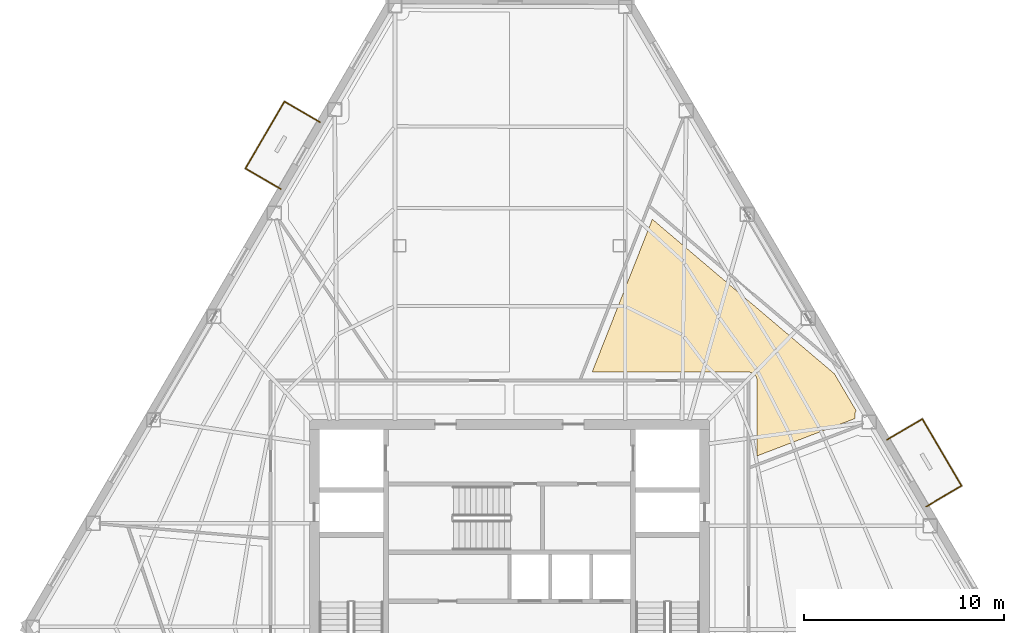
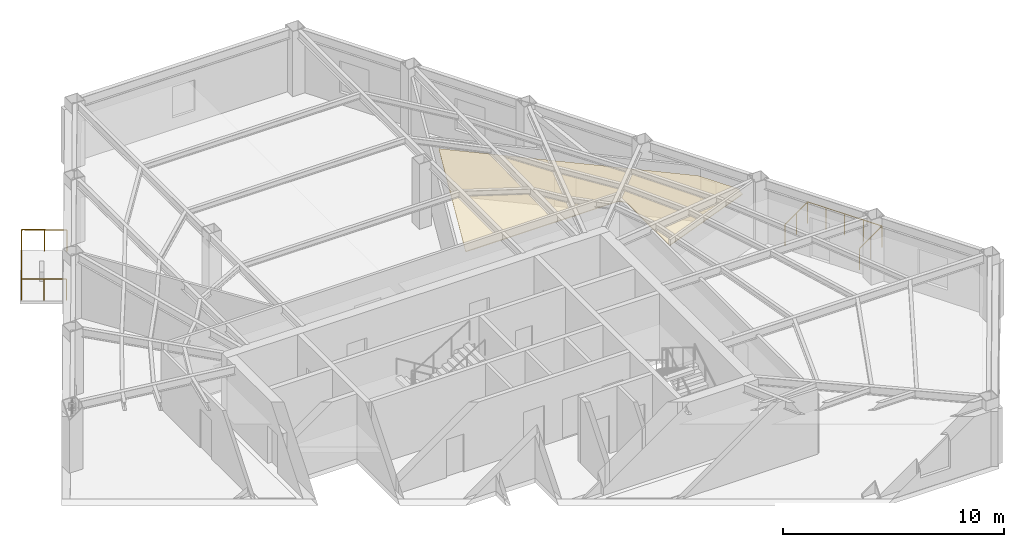
# One storey, part 11 of 11: 6 railings, 1 covering.
"""IFC4 building model written with IfcOpenShell, lengths in metres."""

from ifc_helpers import new_model, si_unit, direction, frame, origin, origin_2d, place, context, subcontext, project, spatial, polyline, circle, outline, extrude, material, layer, layer_set, type_object, element, save


model = new_model("IFC4")

# Units and contexts
model_context = context("Model", 3, precision=1e-05, world=origin(), true_north=direction((0.0, 1.0)))
body_context = subcontext(model_context, "Body", "Model", "MODEL_VIEW")
ifc_project = project(units=[si_unit("LENGTHUNIT", "METRE"), si_unit("AREAUNIT", "SQUARE_METRE"), si_unit("VOLUMEUNIT", "CUBIC_METRE"), si_unit("PLANEANGLEUNIT", "RADIAN"), si_unit("MASSUNIT", "GRAM", prefix="KILO")], contexts=[model_context])

# Site, building, storey
site_placement = place(None, origin())
site = spatial("IfcSite", under=ifc_project, at=site_placement, CompositionType="ELEMENT")
building_placement = place(site_placement, origin())
building = spatial("IfcBuilding", under=site, at=building_placement, Name="Kavelnor Concourse Tower", CompositionType="ELEMENT")
storey_placement = place(building_placement, frame((0.0, 0.0, 127.85009765625)))
storey = spatial("IfcBuildingStorey", under=building, at=storey_placement, Name="L32", CompositionType="ELEMENT", Elevation=127.85009765625)

# Covering
ifc_material_1 = material(Name="Mineral fibre acoustic ceiling tile")
ifc_layer = layer(ifc_material_1, 0.0400390625, Name="Mineral fibre acoustic ceiling tile")
ifc_layer_set = layer_set([ifc_layer], Name="Mineral fibre acoustic ceiling tile")
covering_type = type_object("IfcCoveringType", Name="COV-CEILING-ACOUSTIC", PredefinedType="CEILING", material=ifc_layer_set)
covering_placement = place(storey_placement, frame((0.0, 0.0, 2.75)))
element("IfcCovering", 1, at=covering_placement, inside=storey, type_object=covering_type, Name="L32 Suspended Acoustic Ceiling", PredefinedType="CEILING", context=body_context, shape_type="SweptSolid", body=[
    extrude(outline(polyline([(50.384765625, 25.132568359375), (50.374755859375, 25.1728515625), (50.360595703125, 25.2119140625), (50.343017578125, 25.24951171875), (50.321533203125, 25.284912109375), (50.296875, 25.318359375), (50.26904296875, 25.34912109375), (50.23828125, 25.376953125), (50.205078125, 25.401611328125), (50.16943359375, 25.423095703125), (50.1318359375, 25.440673828125), (50.0927734375, 25.45458984375), (50.052490234375, 25.46484375), (50.011474609375, 25.470947265625), (49.978271484375, 25.472412109375), (42.137451171875, 25.472412109375), (45.15283203125, 33.12890625), (54.26953125, 25.393798828125), (55.35888671875, 23.5400390625), (55.355712890625, 23.53564453125), (55.33740234375, 23.50537109375), (55.322509765625, 23.473388671875), (55.310546875, 23.440185546875), (55.302001953125, 23.40576171875), (55.296630859375, 23.370849609375), (55.29541015625, 23.34375), (55.29541015625, 23.14501953125), (50.392578125, 21.273681640625), (50.392578125, 25.058349609375), (50.390869140625, 25.091552734375), (50.384765625, 25.132568359375)])), origin(), (0.0, 0.0, 1.0), 0.039794921875),
])

# Railings
ifc_material_2 = material(Name="Architectural bronze-anodised aluminium", Category="aluminium")
railing_type = type_object("IfcRailingType", Name="RLG-TERRACE-1200", PredefinedType="BALUSTRADE", material=ifc_material_2)
railing_1_placement = place(storey_placement, frame((58.87353515625, 18.74267578125, 0.0)))
element("IfcRailing", 2, at=railing_1_placement, inside=storey, type_object=railing_type, Name="L32 Tree Balcony 1 Guardrail L", PredefinedType="BALUSTRADE", context=body_context, shape_type="SweptSolid", body=[
    extrude(circle(Radius=0.02392578125, at=origin_2d()), frame((0.0, 0.0, 1.17578125), z_axis=(0.862237152652, 0.506504780418, 0.0), x_axis=(-0.506504780418, 0.862237152652, 0.0)), (0.0, 0.0, 1.0), 2.050048828125),
    extrude(circle(Radius=0.02099609375, at=origin_2d()), origin(), (0.0, 0.0, 1.0), 1.15185546875),
    extrude(circle(Radius=0.02099609375, at=origin_2d()), frame((0.8837890625, 0.51904296875, 0.0)), (0.0, 0.0, 1.0), 1.15185546875),
    extrude(circle(Radius=0.02099609375, at=origin_2d()), frame((1.767578125, 1.038330078125, 0.0)), (0.0, 0.0, 1.0), 1.15185546875),
])
railing_2_placement = place(storey_placement, frame((60.64111328125, 19.781005859375, 0.0)))
element("IfcRailing", 3, at=railing_2_placement, inside=storey, type_object=railing_type, Name="L32 Tree Balcony 1 Guardrail F", PredefinedType="BALUSTRADE", context=body_context, shape_type="SweptSolid", body=[
    extrude(circle(Radius=0.02392578125, at=origin_2d()), frame((0.0, 0.0, 1.17578125), z_axis=(-0.506571851513, 0.862197749507, 0.0), x_axis=(-0.862197749507, -0.506571851513, 0.0)), (0.0, 0.0, 1.0), 3.880126953125),
    extrude(circle(Radius=0.02099609375, at=origin_2d()), origin(), (0.0, 0.0, 1.0), 1.15185546875),
    extrude(circle(Radius=0.02099609375, at=origin_2d()), frame((-0.491455078125, 0.83642578125, 0.0)), (0.0, 0.0, 1.0), 1.15185546875),
    extrude(circle(Radius=0.02099609375, at=origin_2d()), frame((-0.98291015625, 1.6728515625, 0.0)), (0.0, 0.0, 1.0), 1.15185546875),
    extrude(circle(Radius=0.02099609375, at=origin_2d()), frame((-1.47412109375, 2.509033203125, 0.0)), (0.0, 0.0, 1.0), 1.15185546875),
    extrude(circle(Radius=0.02099609375, at=origin_2d()), frame((-1.965576171875, 3.345458984375, 0.0)), (0.0, 0.0, 1.0), 1.15185546875),
])
railing_3_placement = place(storey_placement, frame((58.675537109375, 23.12646484375, 0.0)))
element("IfcRailing", 4, at=railing_3_placement, inside=storey, type_object=railing_type, Name="L32 Tree Balcony 1 Guardrail R", PredefinedType="BALUSTRADE", context=body_context, shape_type="SweptSolid", body=[
    extrude(circle(Radius=0.02392578125, at=origin_2d()), frame((0.0, 0.0, 1.17578125), z_axis=(-0.862185139856, -0.506593312838, 0.0), x_axis=(0.506593312838, -0.862185139856, 0.0)), (0.0, 0.0, 1.0), 2.050048828125),
    extrude(circle(Radius=0.02099609375, at=origin_2d()), origin(), (0.0, 0.0, 1.0), 1.15185546875),
    extrude(circle(Radius=0.02099609375, at=origin_2d()), frame((-0.8837890625, -0.519287109375, 0.0)), (0.0, 0.0, 1.0), 1.15185546875),
    extrude(circle(Radius=0.02099609375, at=origin_2d()), frame((-1.767578125, -1.03857421875, 0.0)), (0.0, 0.0, 1.0), 1.15185546875),
])
railing_4_placement = place(storey_placement, frame((28.5, 37.989990234375, 0.0)))
element("IfcRailing", 5, at=railing_4_placement, inside=storey, type_object=railing_type, Name="L32 Tree Balcony 2 Guardrail L", PredefinedType="BALUSTRADE", context=body_context, shape_type="SweptSolid", body=[
    extrude(circle(Radius=0.02392578125, at=origin_2d()), frame((0.0, 0.0, 1.17578125), z_axis=(-0.863692496491, 0.504019118195, 0.0), x_axis=(-0.504019118195, -0.863692496491, 0.0)), (0.0, 0.0, 1.0), 2.050048828125),
    extrude(circle(Radius=0.02099609375, at=origin_2d()), origin(), (0.0, 0.0, 1.0), 1.15185546875),
    extrude(circle(Radius=0.02099609375, at=origin_2d()), frame((-0.88525390625, 0.5166015625, 0.0)), (0.0, 0.0, 1.0), 1.15185546875),
    extrude(circle(Radius=0.02099609375, at=origin_2d()), frame((-1.7705078125, 1.033203125, 0.0)), (0.0, 0.0, 1.0), 1.15185546875),
])
railing_5_placement = place(storey_placement, frame((26.7294921875, 39.023193359375, 0.0)))
element("IfcRailing", 6, at=railing_5_placement, inside=storey, type_object=railing_type, Name="L32 Tree Balcony 2 Guardrail F", PredefinedType="BALUSTRADE", context=body_context, shape_type="SweptSolid", body=[
    extrude(circle(Radius=0.02392578125, at=origin_2d()), frame((0.0, 0.0, 1.17578125), z_axis=(-0.504047080871, -0.863676177896, 0.0), x_axis=(0.863676177896, -0.504047080871, 0.0)), (0.0, 0.0, 1.0), 3.879638671875),
    extrude(circle(Radius=0.02099609375, at=origin_2d()), origin(), (0.0, 0.0, 1.0), 1.15185546875),
    extrude(circle(Radius=0.02099609375, at=origin_2d()), frame((-0.48876953125, -0.837646484375, 0.0)), (0.0, 0.0, 1.0), 1.15185546875),
    extrude(circle(Radius=0.02099609375, at=origin_2d()), frame((-0.977783203125, -1.67529296875, 0.0)), (0.0, 0.0, 1.0), 1.15185546875),
    extrude(circle(Radius=0.02099609375, at=origin_2d()), frame((-1.466796875, -2.51318359375, 0.0)), (0.0, 0.0, 1.0), 1.15185546875),
    extrude(circle(Radius=0.02099609375, at=origin_2d()), frame((-1.95556640625, -3.350830078125, 0.0)), (0.0, 0.0, 1.0), 1.15185546875),
])
railing_6_placement = place(storey_placement, frame((24.77392578125, 35.67236328125, 0.0)))
element("IfcRailing", 7, at=railing_6_placement, inside=storey, type_object=railing_type, Name="L32 Tree Balcony 2 Guardrail R", PredefinedType="BALUSTRADE", context=body_context, shape_type="SweptSolid", body=[
    extrude(circle(Radius=0.02392578125, at=origin_2d()), frame((0.0, 0.0, 1.17578125), z_axis=(0.863610381565, -0.504159804877, 0.0), x_axis=(0.504159804877, 0.863610381565, 0.0)), (0.0, 0.0, 1.0), 2.0498046875),
    extrude(circle(Radius=0.02099609375, at=origin_2d()), origin(), (0.0, 0.0, 1.0), 1.15185546875),
    extrude(circle(Radius=0.02099609375, at=origin_2d()), frame((0.88525390625, -0.5166015625, 0.0)), (0.0, 0.0, 1.0), 1.15185546875),
    extrude(circle(Radius=0.02099609375, at=origin_2d()), frame((1.770263671875, -1.033447265625, 0.0)), (0.0, 0.0, 1.0), 1.15185546875),
])

save(model, "model.ifc")
